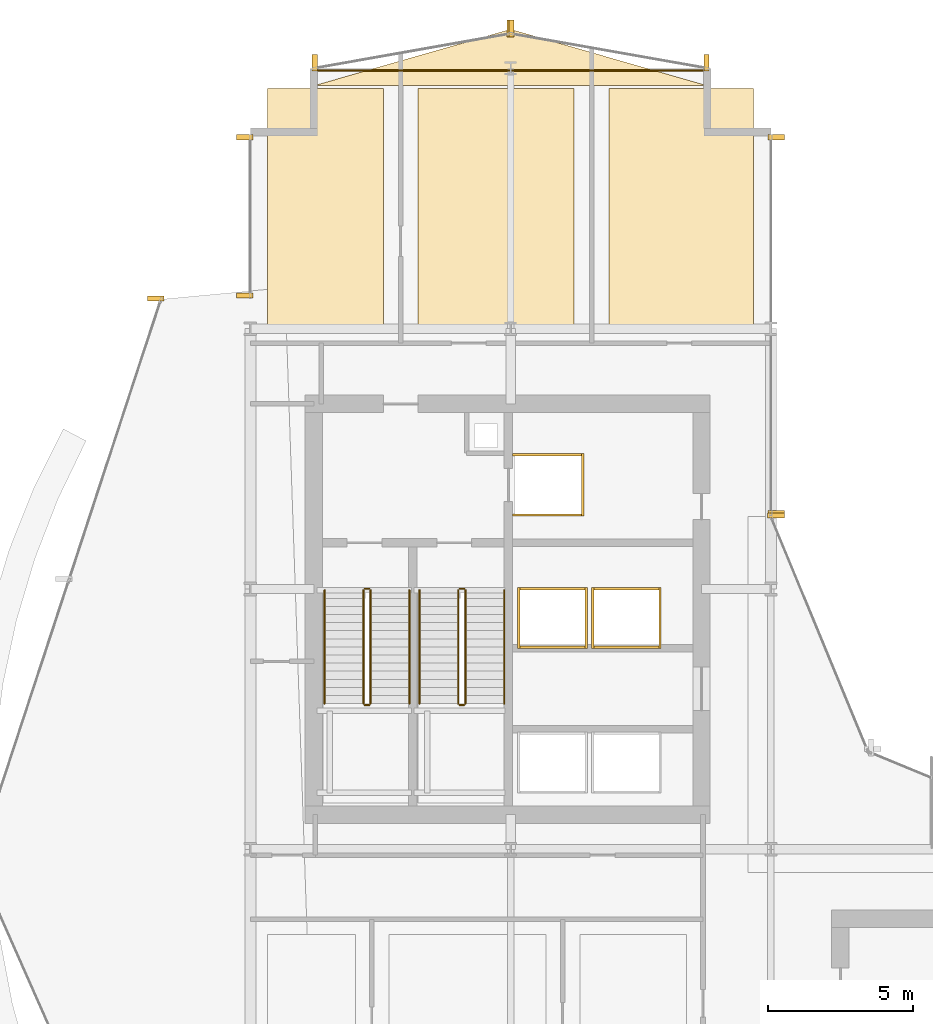
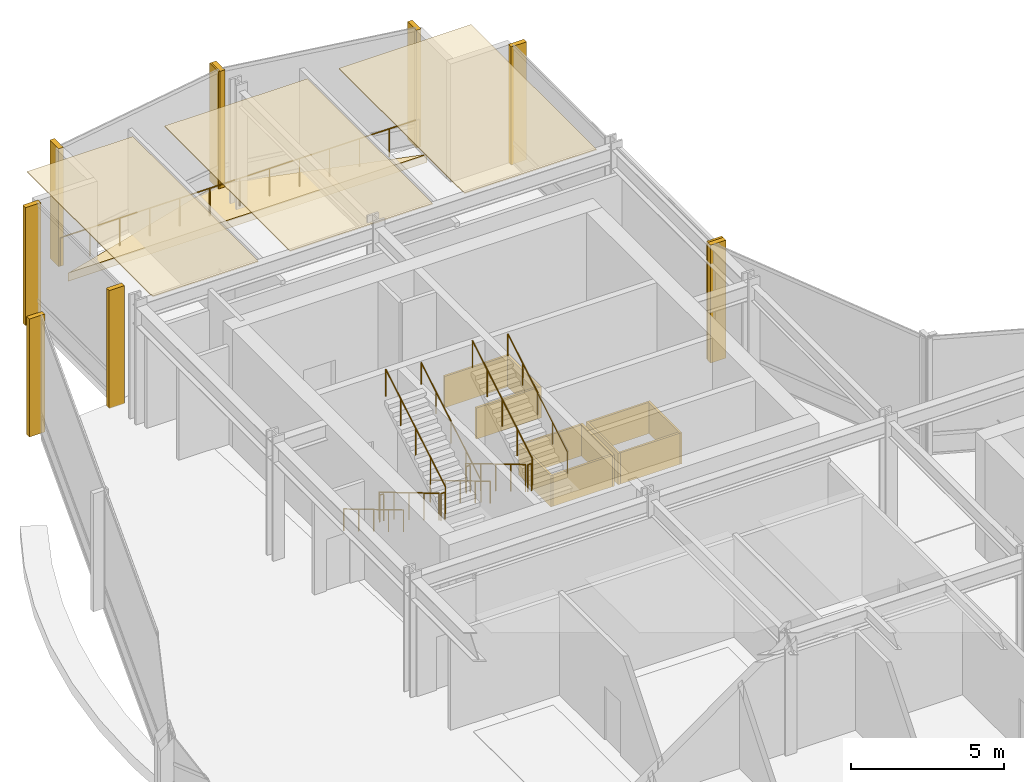
# One storey, part 37 of 39: 25 coverings, 13 railings.
"""IFC4 building model written with IfcOpenShell, lengths in metres."""

from ifc_helpers import new_model, si_unit, direction, frame, origin, origin_2d, place, context, subcontext, project, spatial, polyline, rectangle, circle, outline, extrude, material, layer, layer_set, type_object, element, save


model = new_model("IFC4")

# Units and contexts
model_context = context("Model", 3, precision=1e-05, world=origin(), true_north=direction((0.0, 1.0)))
body_context = subcontext(model_context, "Body", "Model", "MODEL_VIEW")
ifc_project = project(units=[si_unit("LENGTHUNIT", "METRE"), si_unit("AREAUNIT", "SQUARE_METRE"), si_unit("VOLUMEUNIT", "CUBIC_METRE"), si_unit("PLANEANGLEUNIT", "RADIAN"), si_unit("MASSUNIT", "GRAM", prefix="KILO")], contexts=[model_context])

# Site, building, storey
site_placement = place(None, origin())
site = spatial("IfcSite", under=ifc_project, at=site_placement, CompositionType="ELEMENT")
building_placement = place(site_placement, origin())
building = spatial("IfcBuilding", under=site, at=building_placement, Name="Solvaryn Broadcast Tower", CompositionType="ELEMENT")
storey_placement = place(building_placement, frame((0.0, 0.0, 84.10009765625)))
storey = spatial("IfcBuildingStorey", under=building, at=storey_placement, Name="L20", CompositionType="ELEMENT", Elevation=84.10009765625)

# Coverings
ifc_material_1 = material(Name="Micro-Perforated Acoustic Gypsum Ceiling", Category="concrete")
ifc_layer_1 = layer(ifc_material_1, 0.0400390625)
ifc_layer_set_1 = layer_set([ifc_layer_1], Name="CV-CEIL-ACOUSTIC")
covering_type_1 = type_object("IfcCoveringType", Name="CV-CEIL-ACOUSTIC", PredefinedType="CEILING", material=ifc_layer_set_1)
covering_1_placement = place(storey_placement, frame((0.0, 0.0, 4.679931640625)))
element("IfcCovering", 1, at=covering_1_placement, inside=storey, type_object=covering_type_1, Name="L20 Room Acoustic Ceiling 8", PredefinedType="CEILING", context=body_context, shape_type="SweptSolid", body=[
    extrude(outline(polyline([(9.60009765625, 45.070068359375), (13.60009765625, 45.070068359375), (13.60009765625, 53.300048828125), (9.60009765625, 53.300048828125), (9.60009765625, 45.070068359375)])), origin(), (0.0, 0.0, 1.0), 0.0400390625),
])
covering_2_placement = place(storey_placement, frame((0.0, 0.0, 4.679931640625)))
element("IfcCovering", 2, at=covering_2_placement, inside=storey, type_object=covering_type_1, Name="L20 Room Acoustic Ceiling 9", PredefinedType="CEILING", context=body_context, shape_type="SweptSolid", body=[
    extrude(outline(polyline([(14.800048828125, 45.070068359375), (20.199951171875, 45.070068359375), (20.199951171875, 53.300048828125), (14.800048828125, 53.300048828125), (14.800048828125, 45.070068359375)])), origin(), (0.0, 0.0, 1.0), 0.0400390625),
])
covering_3_placement = place(storey_placement, frame((0.0, 0.0, 4.679931640625)))
element("IfcCovering", 3, at=covering_3_placement, inside=storey, type_object=covering_type_1, Name="L20 Room Acoustic Ceiling 10", PredefinedType="CEILING", context=body_context, shape_type="SweptSolid", body=[
    extrude(outline(polyline([(21.39990234375, 45.070068359375), (26.39990234375, 45.070068359375), (26.39990234375, 53.300048828125), (21.39990234375, 53.300048828125), (21.39990234375, 45.070068359375)])), origin(), (0.0, 0.0, 1.0), 0.0400390625),
])
ifc_material_2 = material(Name="Fire-Rated Gypsum Shaftwall Liner", Category="concrete")
ifc_layer_2 = layer(ifc_material_2, 0.080078125)
ifc_layer_set_2 = layer_set([ifc_layer_2], Name="CV-SHAFT-LINER")
covering_type_2 = type_object("IfcCoveringType", Name="CV-SHAFT-LINER", PredefinedType="CLADDING", material=ifc_layer_set_2)
for number, where, z_axis, x_axis, name in (
    (4, (19.300048828125, 40.639892578125, 0.0), (0.0, 0.0, 1.0), (1.0, 0.0, 0.0), "L20 FL1 Hoistway Shaft Liner North"),
    (5, (19.300048828125, 38.56005859375, 0.0), (0.0, 0.0, 1.0), (1.0, 0.0, 0.0), "L20 FL1 Hoistway Shaft Liner South"),
):
    element("IfcCovering", number, at=place(storey_placement, frame(where, z_axis=z_axis, x_axis=x_axis)), inside=storey, type_object=covering_type_2, Name=name, PredefinedType="CLADDING", context=body_context, shape_type="SweptSolid", body=[
        extrude(rectangle(XDim=2.4599609375, YDim=0.080078125, at=origin_2d()), origin(), (0.0, 0.0, 1.0), 1.25),
    ])
covering_4_placement = place(storey_placement, frame((20.489990234375, 39.60009765625, 0.0), z_axis=(0.0, 0.0, 1.0), x_axis=(1.0, 0.0, 0.0)))
element("IfcCovering", 6, at=covering_4_placement, inside=storey, type_object=covering_type_2, Name="L20 FL1 Hoistway Shaft Liner East", PredefinedType="CLADDING", context=body_context, shape_type="SweptSolid", body=[
    extrude(rectangle(XDim=0.080078125, YDim=2.159912109375, at=origin_2d()), origin(), (0.0, 0.0, 1.0), 1.25),
])
for number, where, z_axis, x_axis, name in (
    (7, (19.449951171875, 36.014892578125, 0.0), (0.0, 0.0, 1.0), (1.0, 0.0, 0.0), "L20 PH3 Hoistway Shaft Liner North"),
    (8, (19.449951171875, 33.985107421875, 0.0), (0.0, 0.0, 1.0), (1.0, 0.0, 0.0), "L20 PH3 Hoistway Shaft Liner South"),
):
    element("IfcCovering", number, at=place(storey_placement, frame(where, z_axis=z_axis, x_axis=x_axis)), inside=storey, type_object=covering_type_2, Name=name, PredefinedType="CLADDING", context=body_context, shape_type="SweptSolid", body=[
        extrude(rectangle(XDim=2.409912109375, YDim=0.080078125, at=origin_2d()), origin(), (0.0, 0.0, 1.0), 1.25),
    ])
for number, where, z_axis, x_axis, name in (
    (9, (20.614990234375, 35.0, 0.0), (0.0, 0.0, 1.0), (1.0, 0.0, 0.0), "L20 PH3 Hoistway Shaft Liner East"),
    (10, (18.284912109375, 35.0, 0.0), (0.0, 0.0, 1.0), (1.0, 0.0, 0.0), "L20 PH3 Hoistway Shaft Liner West"),
):
    element("IfcCovering", number, at=place(storey_placement, frame(where, z_axis=z_axis, x_axis=x_axis)), inside=storey, type_object=covering_type_2, Name=name, PredefinedType="CLADDING", context=body_context, shape_type="SweptSolid", body=[
        extrude(rectangle(XDim=0.080078125, YDim=2.110107421875, at=origin_2d()), origin(), (0.0, 0.0, 1.0), 1.25),
    ])
for number, where, z_axis, x_axis, name in (
    (11, (22.0, 36.014892578125, 0.0), (0.0, 0.0, 1.0), (1.0, 0.0, 0.0), "L20 PH4 Hoistway Shaft Liner North"),
    (12, (22.0, 33.985107421875, 0.0), (0.0, 0.0, 1.0), (1.0, 0.0, 0.0), "L20 PH4 Hoistway Shaft Liner South"),
):
    element("IfcCovering", number, at=place(storey_placement, frame(where, z_axis=z_axis, x_axis=x_axis)), inside=storey, type_object=covering_type_2, Name=name, PredefinedType="CLADDING", context=body_context, shape_type="SweptSolid", body=[
        extrude(rectangle(XDim=2.409912109375, YDim=0.080078125, at=origin_2d()), origin(), (0.0, 0.0, 1.0), 1.25),
    ])
for number, where, z_axis, x_axis, name in (
    (13, (23.1650390625, 35.0, 0.0), (0.0, 0.0, 1.0), (1.0, 0.0, 0.0), "L20 PH4 Hoistway Shaft Liner East"),
    (14, (20.8349609375, 35.0, 0.0), (0.0, 0.0, 1.0), (1.0, 0.0, 0.0), "L20 PH4 Hoistway Shaft Liner West"),
):
    element("IfcCovering", number, at=place(storey_placement, frame(where, z_axis=z_axis, x_axis=x_axis)), inside=storey, type_object=covering_type_2, Name=name, PredefinedType="CLADDING", context=body_context, shape_type="SweptSolid", body=[
        extrude(rectangle(XDim=0.080078125, YDim=2.110107421875, at=origin_2d()), origin(), (0.0, 0.0, 1.0), 1.25),
    ])
ifc_material_3 = material(Name="Extruded Architectural Terracotta Fin", Category="masonry")
ifc_layer_3 = layer(ifc_material_3, 0.179931640625)
ifc_layer_set_3 = layer_set([ifc_layer_3], Name="CV-TC-FIN")
covering_type_3 = type_object("IfcCoveringType", Name="CV-TC-FIN", PredefinedType="USERDEFINED", material=ifc_layer_set_3)
for number, where, z_axis, x_axis, name in (
    (15, (5.735595703125, 46.043701171875, 0.0), (0.0, 0.0, 1.0), (1.0, 0.0, 0.0), "L20 Terracotta Vertical Fin FIN-L20-DR1-M00"),
    (16, (8.8125, 46.14599609375, 0.0), (0.0, 0.0, 1.0), (1.0, 0.0, 0.0), "L20 Terracotta Vertical Fin FIN-L20-W2-M00"),
    (17, (8.8125, 51.6201171875, 0.0), (0.0, 0.0, 1.0), (1.0, 0.0, 0.0), "L20 Terracotta Vertical Fin FIN-L20-W2-M01"),
    (18, (27.1875, 51.6201171875, 0.0), (0.0, 0.0, 1.0), (1.0, 0.0, 0.0), "L20 Terracotta Vertical Fin FIN-L20-IV-M00"),
    (19, (27.1875, 38.6298828125, 0.0), (0.0, 0.0, 1.0), (1.0, 0.0, 0.0), "L20 Terracotta Vertical Fin FIN-L20-IV-M01"),
    (20, (27.177978515625, 38.541259765625, 0.0), (0.0, 0.0, 1.0), (1.0, 0.0, 0.0), "L20 Terracotta Vertical Fin FIN-L20-CN2-M01"),
):
    element("IfcCovering", number, at=place(storey_placement, frame(where, z_axis=z_axis, x_axis=x_axis)), inside=storey, type_object=covering_type_3, Name=name, ObjectType="FIN", PredefinedType="USERDEFINED", context=body_context, shape_type="SweptSolid", body=[
        extrude(rectangle(XDim=0.580078125, YDim=0.179931640625, at=origin_2d()), origin(), (0.0, 0.0, 1.0), 4.719970703125),
    ])
for number, where, z_axis, x_axis, name in (
    (21, (24.7705078125, 54.192626953125, 0.0), (0.0, 0.0, 1.0), (1.0, 0.0, 0.0), "L20 Terracotta Vertical Fin FIN-L20-NT1-M00"),
    (22, (18.029541015625, 55.38232421875, 0.0), (0.0, 0.0, 1.0), (1.0, 0.0, 0.0), "L20 Terracotta Vertical Fin FIN-L20-NT1-M01"),
    (23, (17.970458984375, 55.38232421875, 0.0), (0.0, 0.0, 1.0), (1.0, 0.0, 0.0), "L20 Terracotta Vertical Fin FIN-L20-NT2-M00"),
    (24, (11.2294921875, 54.192626953125, 0.0), (0.0, 0.0, 1.0), (1.0, 0.0, 0.0), "L20 Terracotta Vertical Fin FIN-L20-NT2-M01"),
):
    element("IfcCovering", number, at=place(storey_placement, frame(where, z_axis=z_axis, x_axis=x_axis)), inside=storey, type_object=covering_type_3, Name=name, ObjectType="FIN", PredefinedType="USERDEFINED", context=body_context, shape_type="SweptSolid", body=[
        extrude(rectangle(XDim=0.179931640625, YDim=0.580078125, at=origin_2d()), origin(), (0.0, 0.0, 1.0), 4.719970703125),
    ])
ifc_material_4 = material(Name="Sculpted Architectural Terracotta Wave Fascia", Category="masonry")
ifc_layer_4 = layer(ifc_material_4, 0.340087890625)
ifc_layer_set_4 = layer_set([ifc_layer_4], Name="CV-WAVE-TRAY")
covering_type_4 = type_object("IfcCoveringType", Name="CV-WAVE-TRAY", PredefinedType="CLADDING", material=ifc_layer_set_4)
covering_5_placement = place(storey_placement, frame((0.0, 0.0, -0.300048828125)))
element("IfcCovering", 25, at=covering_5_placement, inside=storey, type_object=covering_type_4, Name="L20 North Curved Wing Deck", PredefinedType="CLADDING", context=body_context, shape_type="SweptSolid", body=[
    extrude(outline(polyline([(11.199951171875, 53.39990234375), (24.800048828125, 53.39990234375), (18.0, 55.35009765625), (11.199951171875, 53.39990234375)])), origin(), (0.0, 0.0, 1.0), 0.329833984375),
])

# Railings
ifc_material_5 = material(Name="Painted Steel Stair Well Guard", Category="steel")
railing_type_1 = type_object("IfcRailingType", Name="RL-STAIR-GUARD", PredefinedType="BALUSTRADE", material=ifc_material_5)
railing_1_placement = place(storey_placement, frame((12.909912109375, 35.9599609375, 0.16650390625)))
element("IfcRailing", 26, at=railing_1_placement, inside=storey, type_object=railing_type_1, Name="L20 ST1 stair guard 1", PredefinedType="BALUSTRADE", context=body_context, shape_type="SweptSolid", body=[
    extrude(circle(Radius=0.02392578125, at=origin_2d()), frame((0.0, 0.0, 1.076171875), z_axis=(0.0, -0.859272722373, 0.511517730471), x_axis=(1.0, 0.0, 0.0)), (0.0, 0.0, 1.0), 4.56201171875),
    extrude(circle(Radius=0.02099609375, at=origin_2d()), origin(), (0.0, 0.0, 1.0), 1.052001953125),
    extrude(circle(Radius=0.02099609375, at=origin_2d()), frame((0.0, -0.97998046875, 0.58349609375)), (0.0, 0.0, 1.0), 1.052001953125),
    extrude(circle(Radius=0.02099609375, at=origin_2d()), frame((0.0, -1.9599609375, 1.166748046875)), (0.0, 0.0, 1.0), 1.052001953125),
    extrude(circle(Radius=0.02099609375, at=origin_2d()), frame((0.0, -2.93994140625, 1.75)), (0.0, 0.0, 1.0), 1.052001953125),
    extrude(circle(Radius=0.02099609375, at=origin_2d()), frame((0.0, -3.919921875, 2.33349609375)), (0.0, 0.0, 1.0), 1.052001953125),
])
railing_2_placement = place(storey_placement, frame((12.9599609375, 31.989990234375, 2.5)))
element("IfcRailing", 27, at=railing_2_placement, inside=storey, type_object=railing_type_1, Name="L20 ST1 stair guard 2", PredefinedType="BALUSTRADE", context=body_context, shape_type="SweptSolid", body=[
    extrude(circle(Radius=0.02392578125, at=origin_2d()), frame((0.0, 0.0, 1.076171875), z_axis=(1.0, 0.0, 0.0), x_axis=(0.0, 1.0, 0.0)), (0.0, 0.0, 1.0), 0.150146484375),
    extrude(circle(Radius=0.02099609375, at=origin_2d()), origin(), (0.0, 0.0, 1.0), 1.052001953125),
    extrude(circle(Radius=0.02099609375, at=origin_2d()), frame((0.150146484375, 0.0, 0.0)), (0.0, 0.0, 1.0), 1.052001953125),
])
railing_3_placement = place(storey_placement, frame((13.159912109375, 32.0400390625, 2.66650390625)))
element("IfcRailing", 28, at=railing_3_placement, inside=storey, type_object=railing_type_1, Name="L20 ST1 stair guard 3", PredefinedType="BALUSTRADE", context=body_context, shape_type="SweptSolid", body=[
    extrude(circle(Radius=0.02392578125, at=origin_2d()), frame((0.0, 0.0, 1.076171875), z_axis=(0.0, 0.859272722373, 0.511517730471), x_axis=(-1.0, 0.0, 0.0)), (0.0, 0.0, 1.0), 4.56201171875),
    extrude(circle(Radius=0.02099609375, at=origin_2d()), origin(), (0.0, 0.0, 1.0), 1.052001953125),
    extrude(circle(Radius=0.02099609375, at=origin_2d()), frame((0.0, 0.97998046875, 0.58349609375)), (0.0, 0.0, 1.0), 1.052001953125),
    extrude(circle(Radius=0.02099609375, at=origin_2d()), frame((0.0, 1.9599609375, 1.166748046875)), (0.0, 0.0, 1.0), 1.052001953125),
    extrude(circle(Radius=0.02099609375, at=origin_2d()), frame((0.0, 2.93994140625, 1.75)), (0.0, 0.0, 1.0), 1.052001953125),
    extrude(circle(Radius=0.02099609375, at=origin_2d()), frame((0.0, 3.919921875, 2.33349609375)), (0.0, 0.0, 1.0), 1.052001953125),
])
railing_4_placement = place(storey_placement, frame((12.9599609375, 36.010009765625, 0.0)))
element("IfcRailing", 29, at=railing_4_placement, inside=storey, type_object=railing_type_1, Name="L20 ST1 stair guard 4", PredefinedType="BALUSTRADE", context=body_context, shape_type="SweptSolid", body=[
    extrude(circle(Radius=0.02392578125, at=origin_2d()), frame((0.0, 0.0, 1.076171875), z_axis=(1.0, 0.0, 0.0), x_axis=(0.0, 1.0, 0.0)), (0.0, 0.0, 1.0), 0.150146484375),
    extrude(circle(Radius=0.02099609375, at=origin_2d()), origin(), (0.0, 0.0, 1.0), 1.052001953125),
    extrude(circle(Radius=0.02099609375, at=origin_2d()), frame((0.150146484375, 0.0, 0.0)), (0.0, 0.0, 1.0), 1.052001953125),
])
railing_5_placement = place(storey_placement, frame((16.18994140625, 35.9599609375, 0.16650390625)))
element("IfcRailing", 30, at=railing_5_placement, inside=storey, type_object=railing_type_1, Name="L20 ST2 stair guard 1", PredefinedType="BALUSTRADE", context=body_context, shape_type="SweptSolid", body=[
    extrude(circle(Radius=0.02392578125, at=origin_2d()), frame((0.0, 0.0, 1.076171875), z_axis=(0.0, -0.859272722373, 0.511517730471), x_axis=(1.0, 0.0, 0.0)), (0.0, 0.0, 1.0), 4.56201171875),
    extrude(circle(Radius=0.02099609375, at=origin_2d()), origin(), (0.0, 0.0, 1.0), 1.052001953125),
    extrude(circle(Radius=0.02099609375, at=origin_2d()), frame((0.0, -0.97998046875, 0.58349609375)), (0.0, 0.0, 1.0), 1.052001953125),
    extrude(circle(Radius=0.02099609375, at=origin_2d()), frame((0.0, -1.9599609375, 1.166748046875)), (0.0, 0.0, 1.0), 1.052001953125),
    extrude(circle(Radius=0.02099609375, at=origin_2d()), frame((0.0, -2.93994140625, 1.75)), (0.0, 0.0, 1.0), 1.052001953125),
    extrude(circle(Radius=0.02099609375, at=origin_2d()), frame((0.0, -3.919921875, 2.33349609375)), (0.0, 0.0, 1.0), 1.052001953125),
])
railing_6_placement = place(storey_placement, frame((16.239990234375, 31.989990234375, 2.5)))
element("IfcRailing", 31, at=railing_6_placement, inside=storey, type_object=railing_type_1, Name="L20 ST2 stair guard 2", PredefinedType="BALUSTRADE", context=body_context, shape_type="SweptSolid", body=[
    extrude(circle(Radius=0.02392578125, at=origin_2d()), frame((0.0, 0.0, 1.076171875), z_axis=(1.0, 0.0, 0.0), x_axis=(0.0, 1.0, 0.0)), (0.0, 0.0, 1.0), 0.14990234375),
    extrude(circle(Radius=0.02099609375, at=origin_2d()), origin(), (0.0, 0.0, 1.0), 1.052001953125),
    extrude(circle(Radius=0.02099609375, at=origin_2d()), frame((0.14990234375, 0.0, 0.0)), (0.0, 0.0, 1.0), 1.052001953125),
])
railing_7_placement = place(storey_placement, frame((16.43994140625, 32.0400390625, 2.66650390625)))
element("IfcRailing", 32, at=railing_7_placement, inside=storey, type_object=railing_type_1, Name="L20 ST2 stair guard 3", PredefinedType="BALUSTRADE", context=body_context, shape_type="SweptSolid", body=[
    extrude(circle(Radius=0.02392578125, at=origin_2d()), frame((0.0, 0.0, 1.076171875), z_axis=(0.0, 0.859272722373, 0.511517730471), x_axis=(-1.0, 0.0, 0.0)), (0.0, 0.0, 1.0), 4.56201171875),
    extrude(circle(Radius=0.02099609375, at=origin_2d()), origin(), (0.0, 0.0, 1.0), 1.052001953125),
    extrude(circle(Radius=0.02099609375, at=origin_2d()), frame((0.0, 0.97998046875, 0.58349609375)), (0.0, 0.0, 1.0), 1.052001953125),
    extrude(circle(Radius=0.02099609375, at=origin_2d()), frame((0.0, 1.9599609375, 1.166748046875)), (0.0, 0.0, 1.0), 1.052001953125),
    extrude(circle(Radius=0.02099609375, at=origin_2d()), frame((0.0, 2.93994140625, 1.75)), (0.0, 0.0, 1.0), 1.052001953125),
    extrude(circle(Radius=0.02099609375, at=origin_2d()), frame((0.0, 3.919921875, 2.33349609375)), (0.0, 0.0, 1.0), 1.052001953125),
])
railing_8_placement = place(storey_placement, frame((16.239990234375, 36.010009765625, 0.0)))
element("IfcRailing", 33, at=railing_8_placement, inside=storey, type_object=railing_type_1, Name="L20 ST2 stair guard 4", PredefinedType="BALUSTRADE", context=body_context, shape_type="SweptSolid", body=[
    extrude(circle(Radius=0.02392578125, at=origin_2d()), frame((0.0, 0.0, 1.076171875), z_axis=(1.0, 0.0, 0.0), x_axis=(0.0, 1.0, 0.0)), (0.0, 0.0, 1.0), 0.14990234375),
    extrude(circle(Radius=0.02099609375, at=origin_2d()), origin(), (0.0, 0.0, 1.0), 1.052001953125),
    extrude(circle(Radius=0.02099609375, at=origin_2d()), frame((0.14990234375, 0.0, 0.0)), (0.0, 0.0, 1.0), 1.052001953125),
])
ifc_material_6 = material(Name="Brushed Stainless Steel Tubular Handrail", Category="steel")
railing_type_2 = type_object("IfcRailingType", Name="RL-STAIR-HANDRAIL", PredefinedType="HANDRAIL", material=ifc_material_6)
railing_9_placement = place(storey_placement, frame((11.570068359375, 35.9599609375, 0.16650390625)))
element("IfcRailing", 34, at=railing_9_placement, inside=storey, type_object=railing_type_2, Name="L20 ST1 stair handrail 1", PredefinedType="HANDRAIL", context=body_context, shape_type="SweptSolid", body=[
    extrude(circle(Radius=0.02392578125, at=origin_2d()), frame((0.0, 0.0, 0.8759765625), z_axis=(0.0, -0.859272722373, 0.511517730471), x_axis=(1.0, 0.0, 0.0)), (0.0, 0.0, 1.0), 4.56201171875),
    extrude(circle(Radius=0.02099609375, at=origin_2d()), origin(), (0.0, 0.0, 1.0), 0.851806640625),
    extrude(circle(Radius=0.02099609375, at=origin_2d()), frame((0.0, -0.97998046875, 0.58349609375)), (0.0, 0.0, 1.0), 0.851806640625),
    extrude(circle(Radius=0.02099609375, at=origin_2d()), frame((0.0, -1.9599609375, 1.166748046875)), (0.0, 0.0, 1.0), 0.851806640625),
    extrude(circle(Radius=0.02099609375, at=origin_2d()), frame((0.0, -2.93994140625, 1.75)), (0.0, 0.0, 1.0), 0.851806640625),
    extrude(circle(Radius=0.02099609375, at=origin_2d()), frame((0.0, -3.919921875, 2.33349609375)), (0.0, 0.0, 1.0), 0.851806640625),
])
railing_10_placement = place(storey_placement, frame((14.5, 32.0400390625, 2.66650390625)))
element("IfcRailing", 35, at=railing_10_placement, inside=storey, type_object=railing_type_2, Name="L20 ST1 stair handrail 2", PredefinedType="HANDRAIL", context=body_context, shape_type="SweptSolid", body=[
    extrude(circle(Radius=0.02392578125, at=origin_2d()), frame((0.0, 0.0, 0.8759765625), z_axis=(0.0, 0.859272722373, 0.511517730471), x_axis=(-1.0, 0.0, 0.0)), (0.0, 0.0, 1.0), 4.56201171875),
    extrude(circle(Radius=0.02099609375, at=origin_2d()), origin(), (0.0, 0.0, 1.0), 0.851806640625),
    extrude(circle(Radius=0.02099609375, at=origin_2d()), frame((0.0, 0.97998046875, 0.58349609375)), (0.0, 0.0, 1.0), 0.851806640625),
    extrude(circle(Radius=0.02099609375, at=origin_2d()), frame((0.0, 1.9599609375, 1.166748046875)), (0.0, 0.0, 1.0), 0.851806640625),
    extrude(circle(Radius=0.02099609375, at=origin_2d()), frame((0.0, 2.93994140625, 1.75)), (0.0, 0.0, 1.0), 0.851806640625),
    extrude(circle(Radius=0.02099609375, at=origin_2d()), frame((0.0, 3.919921875, 2.33349609375)), (0.0, 0.0, 1.0), 0.851806640625),
])
railing_11_placement = place(storey_placement, frame((14.85009765625, 35.9599609375, 0.16650390625)))
element("IfcRailing", 36, at=railing_11_placement, inside=storey, type_object=railing_type_2, Name="L20 ST2 stair handrail 1", PredefinedType="HANDRAIL", context=body_context, shape_type="SweptSolid", body=[
    extrude(circle(Radius=0.02392578125, at=origin_2d()), frame((0.0, 0.0, 0.8759765625), z_axis=(0.0, -0.859272722373, 0.511517730471), x_axis=(1.0, 0.0, 0.0)), (0.0, 0.0, 1.0), 4.56201171875),
    extrude(circle(Radius=0.02099609375, at=origin_2d()), origin(), (0.0, 0.0, 1.0), 0.851806640625),
    extrude(circle(Radius=0.02099609375, at=origin_2d()), frame((0.0, -0.97998046875, 0.58349609375)), (0.0, 0.0, 1.0), 0.851806640625),
    extrude(circle(Radius=0.02099609375, at=origin_2d()), frame((0.0, -1.9599609375, 1.166748046875)), (0.0, 0.0, 1.0), 0.851806640625),
    extrude(circle(Radius=0.02099609375, at=origin_2d()), frame((0.0, -2.93994140625, 1.75)), (0.0, 0.0, 1.0), 0.851806640625),
    extrude(circle(Radius=0.02099609375, at=origin_2d()), frame((0.0, -3.919921875, 2.33349609375)), (0.0, 0.0, 1.0), 0.851806640625),
])
railing_12_placement = place(storey_placement, frame((17.780029296875, 32.0400390625, 2.66650390625)))
element("IfcRailing", 37, at=railing_12_placement, inside=storey, type_object=railing_type_2, Name="L20 ST2 stair handrail 2", PredefinedType="HANDRAIL", context=body_context, shape_type="SweptSolid", body=[
    extrude(circle(Radius=0.02392578125, at=origin_2d()), frame((0.0, 0.0, 0.8759765625), z_axis=(0.0, 0.859272722373, 0.511517730471), x_axis=(-1.0, 0.0, 0.0)), (0.0, 0.0, 1.0), 4.56201171875),
    extrude(circle(Radius=0.02099609375, at=origin_2d()), origin(), (0.0, 0.0, 1.0), 0.851806640625),
    extrude(circle(Radius=0.02099609375, at=origin_2d()), frame((0.0, 0.97998046875, 0.58349609375)), (0.0, 0.0, 1.0), 0.851806640625),
    extrude(circle(Radius=0.02099609375, at=origin_2d()), frame((0.0, 1.9599609375, 1.166748046875)), (0.0, 0.0, 1.0), 0.851806640625),
    extrude(circle(Radius=0.02099609375, at=origin_2d()), frame((0.0, 2.93994140625, 1.75)), (0.0, 0.0, 1.0), 0.851806640625),
    extrude(circle(Radius=0.02099609375, at=origin_2d()), frame((0.0, 3.919921875, 2.33349609375)), (0.0, 0.0, 1.0), 0.851806640625),
])
ifc_material_7 = material(Name="Stainless Steel and Laminated Glass Guard", Category="steel")
railing_type_3 = type_object("IfcRailingType", Name="RL-TER-1150", PredefinedType="BALUSTRADE", material=ifc_material_7)
railing_13_placement = place(storey_placement, frame((11.199951171875, 53.919921875, 0.0)))
element("IfcRailing", 38, at=railing_13_placement, inside=storey, type_object=railing_type_3, Name="L20 North Wing Spandrel Edge Guard", PredefinedType="BALUSTRADE", context=body_context, shape_type="SweptSolid", body=[
    extrude(circle(Radius=0.02392578125, at=origin_2d()), frame((0.0, 0.0, 1.1259765625), z_axis=(1.0, 0.0, 0.0), x_axis=(0.0, 1.0, 0.0)), (0.0, 0.0, 1.0), 13.60009765625),
    extrude(circle(Radius=0.02099609375, at=origin_2d()), origin(), (0.0, 0.0, 1.0), 1.101806640625),
    extrude(circle(Radius=0.02099609375, at=origin_2d()), frame((1.13330078125, 0.0, 0.0)), (0.0, 0.0, 1.0), 1.101806640625),
    extrude(circle(Radius=0.02099609375, at=origin_2d()), frame((2.2666015625, 0.0, 0.0)), (0.0, 0.0, 1.0), 1.101806640625),
    extrude(circle(Radius=0.02099609375, at=origin_2d()), frame((3.39990234375, 0.0, 0.0)), (0.0, 0.0, 1.0), 1.101806640625),
    extrude(circle(Radius=0.02099609375, at=origin_2d()), frame((4.533447265625, 0.0, 0.0)), (0.0, 0.0, 1.0), 1.101806640625),
    extrude(circle(Radius=0.02099609375, at=origin_2d()), frame((5.666748046875, 0.0, 0.0)), (0.0, 0.0, 1.0), 1.101806640625),
    extrude(circle(Radius=0.02099609375, at=origin_2d()), frame((6.800048828125, 0.0, 0.0)), (0.0, 0.0, 1.0), 1.101806640625),
    extrude(circle(Radius=0.02099609375, at=origin_2d()), frame((7.933349609375, 0.0, 0.0)), (0.0, 0.0, 1.0), 1.101806640625),
    extrude(circle(Radius=0.02099609375, at=origin_2d()), frame((9.066650390625, 0.0, 0.0)), (0.0, 0.0, 1.0), 1.101806640625),
    extrude(circle(Radius=0.02099609375, at=origin_2d()), frame((10.2001953125, 0.0, 0.0)), (0.0, 0.0, 1.0), 1.101806640625),
    extrude(circle(Radius=0.02099609375, at=origin_2d()), frame((11.33349609375, 0.0, 0.0)), (0.0, 0.0, 1.0), 1.101806640625),
    extrude(circle(Radius=0.02099609375, at=origin_2d()), frame((12.466796875, 0.0, 0.0)), (0.0, 0.0, 1.0), 1.101806640625),
    extrude(circle(Radius=0.02099609375, at=origin_2d()), frame((13.60009765625, 0.0, 0.0)), (0.0, 0.0, 1.0), 1.101806640625),
])

save(model, "model.ifc")
